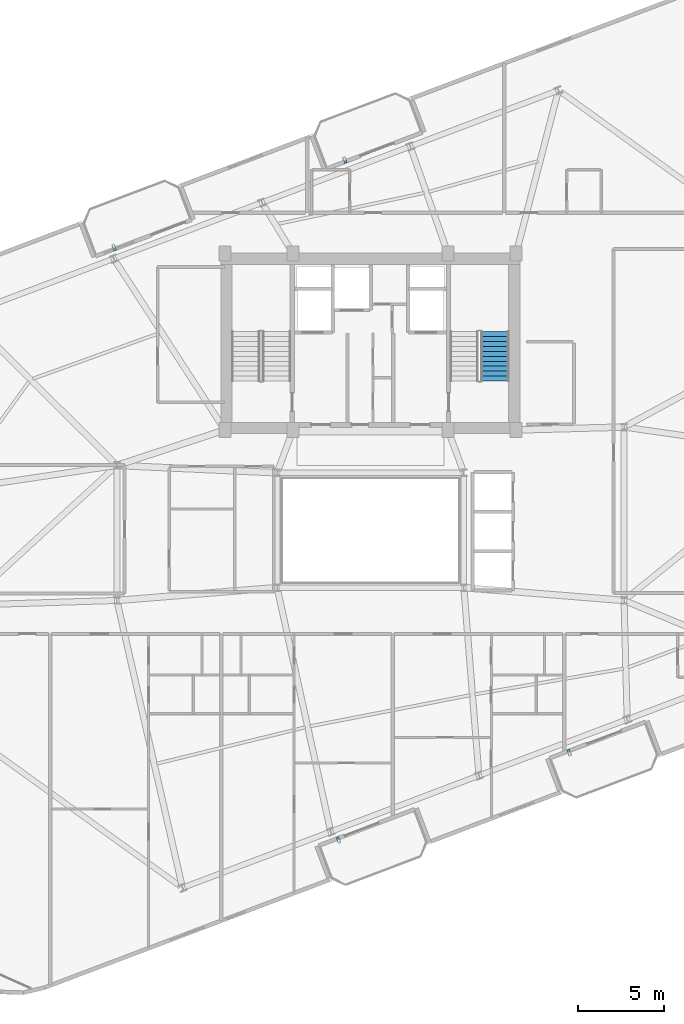
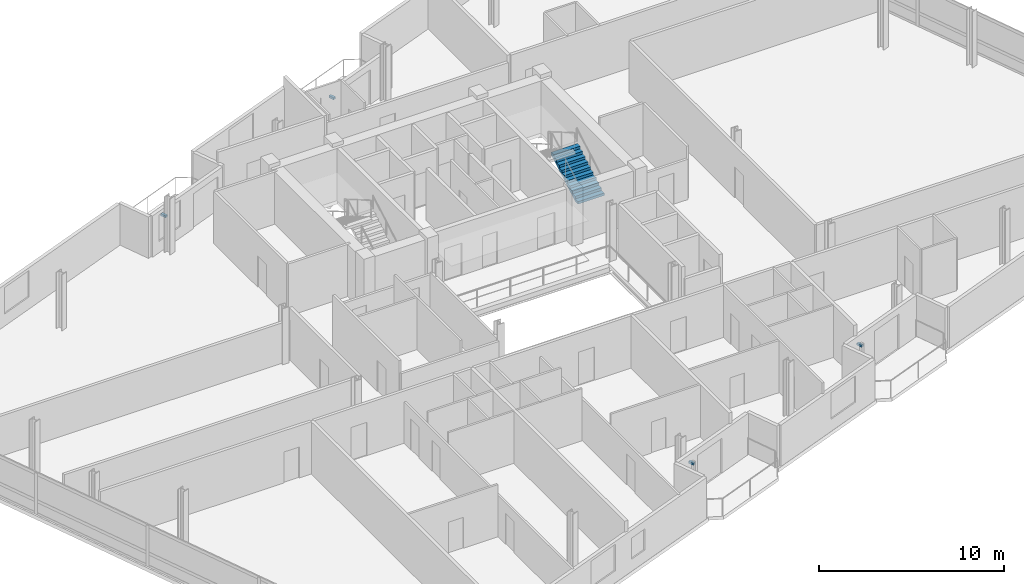
# One storey, part 22 of 24: 4 discrete accessories, 1 stair flight, 1 element without a shape of its own.
"""IFC4 building model written with IfcOpenShell, lengths in metres."""

from ifc_helpers import new_model, si_unit, direction, frame, origin, origin_2d, place, context, subcontext, project, spatial, polyline, rectangle, outline, extrude, source, transform, mapped, material, type_object, element, aggregate, save


model = new_model("IFC4")

# Units and contexts
model_context = context("Model", 3, precision=1e-05, world=origin(), true_north=direction((0.0, 1.0)))
body_context = subcontext(model_context, "Body", "Model", "MODEL_VIEW")
ifc_project = project(units=[si_unit("LENGTHUNIT", "METRE"), si_unit("AREAUNIT", "SQUARE_METRE"), si_unit("VOLUMEUNIT", "CUBIC_METRE"), si_unit("PLANEANGLEUNIT", "RADIAN"), si_unit("MASSUNIT", "GRAM", prefix="KILO")], contexts=[model_context])

# Site, building, storey
site_placement = place(None, origin())
site = spatial("IfcSite", under=ifc_project, at=site_placement, CompositionType="ELEMENT")
building_placement = place(site_placement, origin())
building = spatial("IfcBuilding", under=site, at=building_placement, Name="Varnelok Gate Tower", CompositionType="ELEMENT")
storey_placement = place(building_placement, frame((0.0, 0.0, 212.699951171875)))
storey = spatial("IfcBuildingStorey", under=building, at=storey_placement, Name="L54", CompositionType="ELEMENT", Elevation=212.699951171875)

# Stair, stair flight
ifc_material_1 = material(Name="Concrete C50/60", Category="concrete")
stair_type = type_object("IfcStairType", Name="STR-CORE-1650", PredefinedType="HALF_TURN_STAIR", material=ifc_material_1)
stair_placement = place(storey_placement, origin())
stair = element("IfcStair", 1, at=stair_placement, inside=storey, type_object=stair_type, Name="L54 Exit Stair ST-2", PredefinedType="HALF_TURN_STAIR")
stair_flight_type = type_object("IfcStairFlightType", Name="SFL-CORE-1650", PredefinedType="STRAIGHT", material=ifc_material_1)
stair_flight_placement = place(storey_placement, frame((46.47509765625, 31.60009765625, 0.0), z_axis=(0.0, 0.0, 1.0), x_axis=(0.0, 1.0, 0.0)))
stair_flight = element("IfcStairFlight", 2, at=stair_flight_placement, type_object=stair_flight_type, Name="ST-2 flight 1", NumberOfRisers=11, NumberOfTreads=10, PredefinedType="STRAIGHT", RiserHeight=0.168181818, TreadLength=0.29, context=body_context, shape_type="SweptSolid", body=[
    extrude(outline(polyline([(0.0, 0.0), (0.0, 0.168212890625), (0.2900390625, 0.168212890625), (0.2900390625, 0.33642578125), (0.580078125, 0.33642578125), (0.580078125, 0.504638671875), (0.8701171875, 0.504638671875), (0.8701171875, 0.672607421875), (1.159912109375, 0.672607421875), (1.159912109375, 0.8408203125), (1.449951171875, 0.8408203125), (1.449951171875, 1.009033203125), (1.739990234375, 1.009033203125), (1.739990234375, 1.17724609375), (2.030029296875, 1.17724609375), (2.030029296875, 1.345458984375), (2.320068359375, 1.345458984375), (2.320068359375, 1.513671875), (2.610107421875, 1.513671875), (2.610107421875, 1.681884765625), (2.89990234375, 1.681884765625), (2.89990234375, 1.85009765625), (2.89990234375, 1.508544921875), (0.298828125, 0.0), (0.0, 0.0)])), frame((0.0, 0.824951171875, 0.0), z_axis=(0.0, -1.0, 0.0), x_axis=(1.0, 0.0, 0.0)), (0.0, 0.0, 1.0), 1.64990234375),
])
aggregate(stair, [stair_flight])

# Discrete accessories
ifc_material_2 = material(Name="Structural Steel ASTM A500 Grade C", Category="steel")
discrete_accessory_type = type_object("IfcDiscreteAccessoryType", Name="ACC-BAGUETTE-BRK", PredefinedType="BRACKET", material=ifc_material_2)
shared_shape = source(origin(), body_context, "Body", "SweptSolid", [
    extrude(rectangle(XDim=0.159912109375, YDim=0.340087890625, at=origin_2d()), origin(), (0.0, 0.0, 1.0), 0.139892578125),
])
for number, where, z_axis, x_axis, name in (
    (3, (37.322509765625, 4.83984375, 1.97998046875), (0.0, 0.0, 1.0), (0.935221751401, 0.354062530786, 0.0), "L54 Terracotta Baguette Bracket 1.1"),
    (4, (50.789794921875, 9.9384765625, 1.97998046875), (0.0, 0.0, 1.0), (0.935221751401, 0.354062530786, 0.0), "L54 Terracotta Baguette Bracket 2.1"),
    (5, (24.243408203125, 39.386962890625, 1.97998046875), (0.0, 0.0, 1.0), (0.935221751401, 0.354062530786, 0.0), "L54 Terracotta Baguette Bracket 3.1"),
    (6, (37.710693359375, 44.485595703125, 1.97998046875), (0.0, 0.0, 1.0), (0.935221751401, 0.354062530786, 0.0), "L54 Terracotta Baguette Bracket 4.1"),
):
    element("IfcDiscreteAccessory", number, at=place(storey_placement, frame(where, z_axis=z_axis, x_axis=x_axis)), inside=storey, type_object=discrete_accessory_type, Name=name, PredefinedType="BRACKET", context=body_context, shape_type="MappedRepresentation", body=[
        mapped(shared_shape, transform((0.0, 0.0, 0.0), scale=1.0)),
    ])

save(model, "model.ifc")
